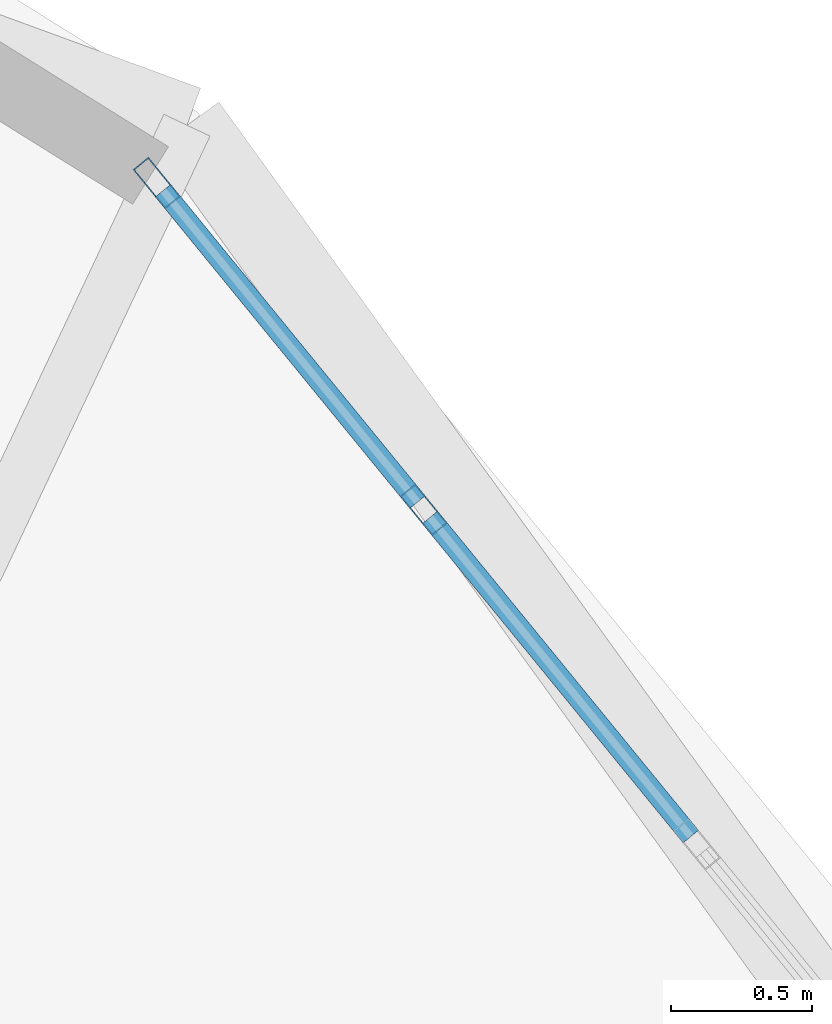
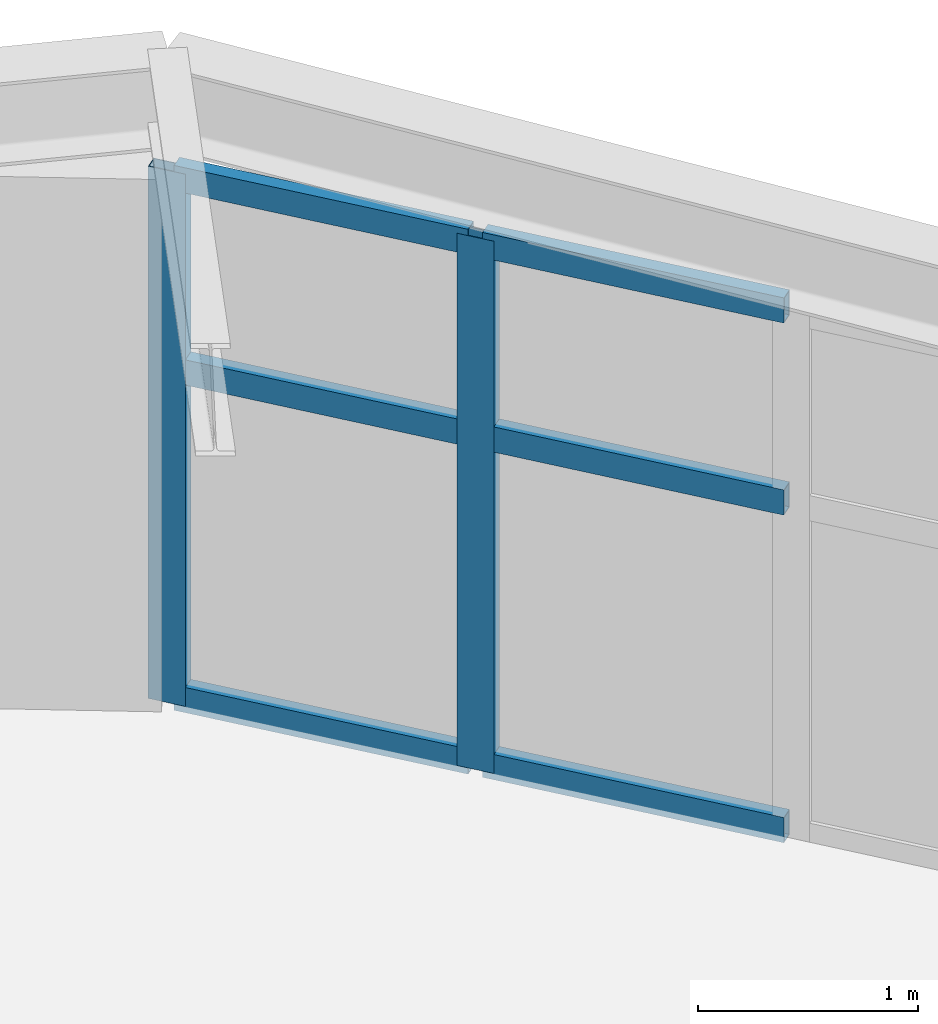
# One storey, part 8 of 20: 8 members, 1 element without a shape of its own.
"""IFC4 building model written with IfcOpenShell, lengths in metres."""

from ifc_helpers import new_model, si_unit, direction, frame, origin, origin_2d, place, context, subcontext, project, spatial, hollow_rectangle, extrude, material, layer, layer_set, material_profile, profile_set, type_object, element, aggregate, save


model = new_model("IFC4")

# Units and contexts
model_context = context("Model", 3, precision=1e-05, world=origin(), true_north=direction((0.0, 1.0)))
body_context = subcontext(model_context, "Body", "Model", "MODEL_VIEW")
ifc_project = project(units=[si_unit("LENGTHUNIT", "METRE"), si_unit("AREAUNIT", "SQUARE_METRE"), si_unit("VOLUMEUNIT", "CUBIC_METRE"), si_unit("PLANEANGLEUNIT", "RADIAN"), si_unit("MASSUNIT", "GRAM", prefix="KILO")], contexts=[model_context])

# Site, building, storey
site_placement = place(None, origin())
site = spatial("IfcSite", under=ifc_project, at=site_placement, CompositionType="ELEMENT")
building_placement = place(site_placement, origin())
building = spatial("IfcBuilding", under=site, at=building_placement, Name="Cununo Teusaquillo Station Towers", CompositionType="ELEMENT")
storey_placement = place(building_placement, frame((0.0, 0.0, 129.159912109375)))
storey = spatial("IfcBuildingStorey", under=building, at=storey_placement, Name="L41", CompositionType="ELEMENT", Elevation=129.159912109375)

# Curtain wall, members
ifc_material_1 = material(Name="Ceramic-fritted dark low-E double glazing", Category="glass")
ifc_layer = layer(ifc_material_1, 0.179931640625)
ifc_layer_set = layer_set([ifc_layer], Name="Ceramic-fritted dark low-E double glazing")
curtain_wall_type = type_object("IfcCurtainWallType", Name="CW-SYS-04", PredefinedType="USERDEFINED", material=ifc_layer_set)
curtain_wall_placement = place(storey_placement, origin())
curtain_wall = element("IfcCurtainWall", 1, at=curtain_wall_placement, inside=storey, type_object=curtain_wall_type, Name="L41 Tower A Facade Curtain Wall C02", ObjectType="FRITTED GLAZING", PredefinedType="USERDEFINED")
ifc_material_2 = material(Name="Anodised dark bronze aluminium EN AW-6063-T6", Category="aluminium")
ifc_material_profile_1 = material_profile(ifc_material_2, hollow_rectangle(XDim=0.070068359375, YDim=0.179931640625, WallThickness=0.00390625, at=origin_2d()), Name="CW-MULL-70x180")
ifc_profile_set_1 = profile_set([ifc_material_profile_1], Name="Anodised dark bronze aluminium EN AW-6063-T6")
member_type_1 = type_object("IfcMemberType", Name="CWM-180", PredefinedType="MULLION", material=ifc_profile_set_1)
member_1_placement = place(storey_placement, frame((25.680419921875, 39.90087890625, 0.0), z_axis=(0.0, 0.0, 1.0), x_axis=(0.774394127889, 0.63270351247, 0.0)))
member_1 = element("IfcMember", 2, at=member_1_placement, type_object=member_type_1, Name="CW-04 mullion 1", PredefinedType="MULLION", context=body_context, shape_type="SweptSolid", body=[
    extrude(hollow_rectangle(XDim=0.070068359375, YDim=0.179931640625, WallThickness=0.00390625, at=origin_2d()), origin(), (0.0, 0.0, 1.0), 2.948974609375),
])
member_2_placement = place(storey_placement, frame((26.6279296875, 38.7412109375, 0.0), z_axis=(0.0, 0.0, 1.0), x_axis=(0.774394127889, 0.63270351247, 0.0)))
member_2 = element("IfcMember", 3, at=member_2_placement, type_object=member_type_1, Name="CW-04 mullion 2", PredefinedType="MULLION", context=body_context, shape_type="SweptSolid", body=[
    extrude(hollow_rectangle(XDim=0.070068359375, YDim=0.179931640625, WallThickness=0.00390625, at=origin_2d()), origin(), (0.0, 0.0, 1.0), 2.948974609375),
])
ifc_material_3 = material(Name="Anodised dark bronze aluminium EN AW-6063-T6", Category="aluminium")
ifc_material_profile_2 = material_profile(ifc_material_3, hollow_rectangle(XDim=0.070068359375, YDim=0.139892578125, WallThickness=0.00390625, at=origin_2d()), Name="CW-TRAN-70x140")
ifc_profile_set_2 = profile_set([ifc_material_profile_2], Name="Anodised dark bronze aluminium EN AW-6063-T6")
member_type_2 = type_object("IfcMemberType", Name="CWT-140", PredefinedType="USERDEFINED", material=ifc_profile_set_2)
member_3_placement = place(storey_placement, frame((25.70263671875, 39.873779296875, 0.03515625), z_axis=(0.632753407608, -0.774353359365, 0.0), x_axis=(0.774353359365, 0.632753407608, 0.0)))
member_3 = element("IfcMember", 4, at=member_3_placement, type_object=member_type_2, Name="CW-04 transom 1.1", ObjectType="TRANSOM", PredefinedType="USERDEFINED", context=body_context, shape_type="SweptSolid", body=[
    extrude(hollow_rectangle(XDim=0.070068359375, YDim=0.139892578125, WallThickness=0.00390625, at=origin_2d()), origin(), (0.0, 0.0, 1.0), 1.427490234375),
])
member_4_placement = place(storey_placement, frame((25.70263671875, 39.873779296875, 1.85009765625), z_axis=(0.632753407608, -0.774353359365, 0.0), x_axis=(0.774353359365, 0.632753407608, 0.0)))
member_4 = element("IfcMember", 5, at=member_4_placement, type_object=member_type_2, Name="CW-04 transom 1.2", ObjectType="TRANSOM", PredefinedType="USERDEFINED", context=body_context, shape_type="SweptSolid", body=[
    extrude(hollow_rectangle(XDim=0.070068359375, YDim=0.139892578125, WallThickness=0.00390625, at=origin_2d()), origin(), (0.0, 0.0, 1.0), 1.427490234375),
])
member_5_placement = place(storey_placement, frame((25.70263671875, 39.873779296875, 2.9140625), z_axis=(0.632753407608, -0.774353359365, 0.0), x_axis=(0.774353359365, 0.632753407608, 0.0)))
member_5 = element("IfcMember", 6, at=member_5_placement, type_object=member_type_2, Name="CW-04 transom 1.3", ObjectType="TRANSOM", PredefinedType="USERDEFINED", context=body_context, shape_type="SweptSolid", body=[
    extrude(hollow_rectangle(XDim=0.070068359375, YDim=0.139892578125, WallThickness=0.00390625, at=origin_2d()), origin(), (0.0, 0.0, 1.0), 1.427490234375),
])
member_6_placement = place(storey_placement, frame((26.650146484375, 38.714111328125, 0.03515625), z_axis=(0.632701424025, -0.774395834207, 0.0), x_axis=(0.774395834207, 0.632701424025, 0.0)))
member_6 = element("IfcMember", 7, at=member_6_placement, type_object=member_type_2, Name="CW-04 transom 2.1", ObjectType="TRANSOM", PredefinedType="USERDEFINED", context=body_context, shape_type="SweptSolid", body=[
    extrude(hollow_rectangle(XDim=0.070068359375, YDim=0.139892578125, WallThickness=0.00390625, at=origin_2d()), origin(), (0.0, 0.0, 1.0), 1.462890625),
])
member_7_placement = place(storey_placement, frame((26.650146484375, 38.714111328125, 1.85009765625), z_axis=(0.632701424025, -0.774395834207, 0.0), x_axis=(0.774395834207, 0.632701424025, 0.0)))
member_7 = element("IfcMember", 8, at=member_7_placement, type_object=member_type_2, Name="CW-04 transom 2.2", ObjectType="TRANSOM", PredefinedType="USERDEFINED", context=body_context, shape_type="SweptSolid", body=[
    extrude(hollow_rectangle(XDim=0.070068359375, YDim=0.139892578125, WallThickness=0.00390625, at=origin_2d()), origin(), (0.0, 0.0, 1.0), 1.462890625),
])
member_8_placement = place(storey_placement, frame((26.650146484375, 38.714111328125, 2.9140625), z_axis=(0.632701424025, -0.774395834207, 0.0), x_axis=(0.774395834207, 0.632701424025, 0.0)))
member_8 = element("IfcMember", 9, at=member_8_placement, type_object=member_type_2, Name="CW-04 transom 2.3", ObjectType="TRANSOM", PredefinedType="USERDEFINED", context=body_context, shape_type="SweptSolid", body=[
    extrude(hollow_rectangle(XDim=0.070068359375, YDim=0.139892578125, WallThickness=0.00390625, at=origin_2d()), origin(), (0.0, 0.0, 1.0), 1.462890625),
])
aggregate(curtain_wall, [member_1, member_2, member_3, member_4, member_5, member_6, member_7, member_8])

save(model, "model.ifc")
